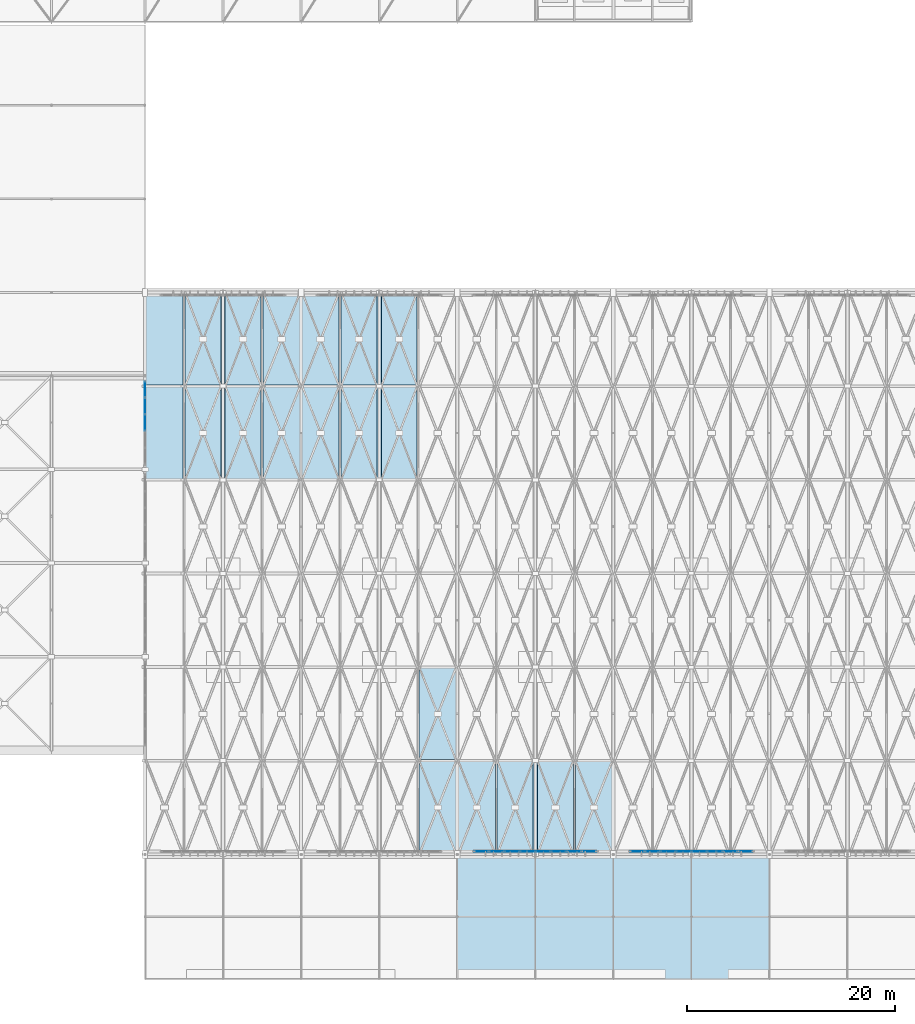
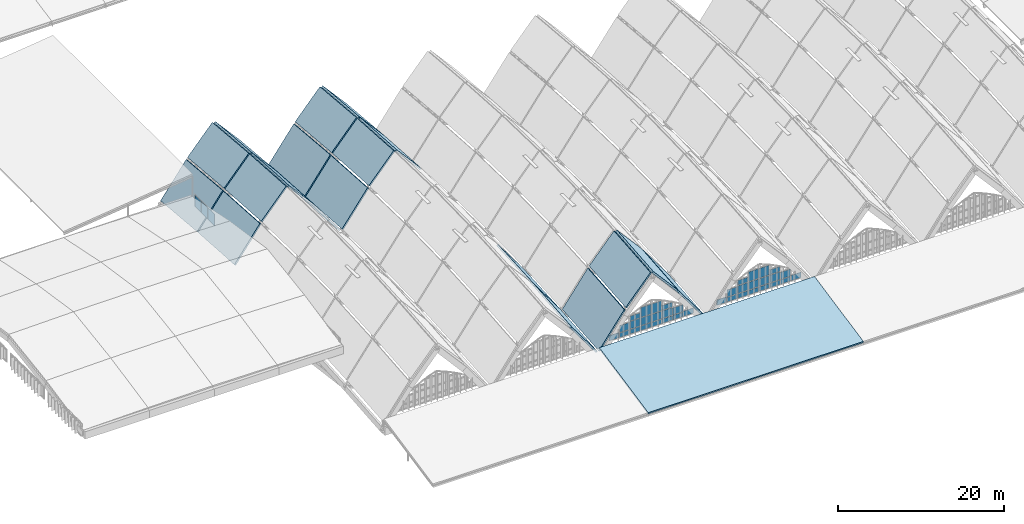
# One storey, part 58 of 93: 39 plates, 21 slabs, 4 elements without a shape of their own.
"""IFC4 building model written with IfcOpenShell, lengths in metres."""

from ifc_helpers import new_model, si_unit, direction, frame, origin, origin_2d, place, context, subcontext, project, spatial, polyline, rectangle, outline, extrude, material, layer, layer_set, type_object, element, aggregate, save


model = new_model("IFC4")

# Units and contexts
model_context = context("Model", 3, precision=1e-05, world=origin(), true_north=direction((0.0, 1.0)))
body_context = subcontext(model_context, "Body", "Model", "MODEL_VIEW")
ifc_project = project(units=[si_unit("LENGTHUNIT", "METRE"), si_unit("AREAUNIT", "SQUARE_METRE"), si_unit("VOLUMEUNIT", "CUBIC_METRE"), si_unit("PLANEANGLEUNIT", "RADIAN"), si_unit("MASSUNIT", "GRAM", prefix="KILO")], contexts=[model_context])

# Site, building, storey
site_placement = place(None, origin())
site = spatial("IfcSite", under=ifc_project, at=site_placement, CompositionType="ELEMENT")
building_placement = place(site_placement, origin())
building = spatial("IfcBuilding", under=site, at=building_placement, Name="Vourika Railside Aquatics Centre", CompositionType="ELEMENT")
storey_placement = place(building_placement, frame((0.0, 0.0, 21.89990234375)))
storey = spatial("IfcBuildingStorey", under=building, at=storey_placement, Name="Roof", CompositionType="ELEMENT", Elevation=21.89990234375)

# Curtain wall, plates
ifc_material_1 = material(Name="Anodized thermally broken aluminium", Category="aluminium")
curtain_wall_type_1 = type_object("IfcCurtainWallType", Name="CW-DIVEE", PredefinedType="NOTDEFINED", material=ifc_material_1)
curtain_wall_1_placement = place(storey_placement, origin())
curtain_wall_1 = element("IfcCurtainWall", 1, at=curtain_wall_1_placement, inside=storey, type_object=curtain_wall_type_1, Name="Diving Hall East Clerestory Curtain Wall 4", PredefinedType="NOTDEFINED")
ifc_material_2 = material(Name="Low-E solar-control laminated double glazing", Category="glass")
ifc_layer_1 = layer(ifc_material_2, 0.0400390625, Name="CWP-DIVEE")
ifc_layer_set_1 = layer_set([ifc_layer_1], Name="Low-E solar-control laminated double glazing")
plate_type_1 = type_object("IfcPlateType", Name="CWP-DIVEE", PredefinedType="CURTAIN_PANEL", material=ifc_layer_set_1)
plate_1_placement = place(storey_placement, frame((36.0, 53.5, -6.223876953125), z_axis=(0.0, 0.0, 1.0), x_axis=(0.0, 1.0, 0.0)))
plate_1 = element("IfcPlate", 2, at=plate_1_placement, type_object=plate_type_1, Name="CW06 panel 3.1", PredefinedType="CURTAIN_PANEL", context=body_context, shape_type="SweptSolid", body=[
    extrude(rectangle(XDim=1.531982421875, YDim=0.0400390625, at=origin_2d()), origin(), (0.0, 0.0, 1.0), 1.64794921875),
])
plate_2_placement = place(storey_placement, frame((36.0, 55.10791015625, -6.223876953125), z_axis=(0.0, 0.0, 1.0), x_axis=(0.0, 1.0, 0.0)))
plate_2 = element("IfcPlate", 3, at=plate_2_placement, type_object=plate_type_1, Name="CW06 panel 4.1", PredefinedType="CURTAIN_PANEL", context=body_context, shape_type="SweptSolid", body=[
    extrude(rectangle(XDim=1.531982421875, YDim=0.0400390625, at=origin_2d()), origin(), (0.0, 0.0, 1.0), 1.64794921875),
])
plate_3_placement = place(storey_placement, frame((36.0, 56.697021484375, -6.223876953125), z_axis=(0.0, 0.0, 1.0), x_axis=(0.0, 1.0, 0.0)))
plate_3 = element("IfcPlate", 4, at=plate_3_placement, type_object=plate_type_1, Name="CW06 panel 5.1", PredefinedType="CURTAIN_PANEL", context=body_context, shape_type="SweptSolid", body=[
    extrude(rectangle(XDim=1.493896484375, YDim=0.0400390625, at=origin_2d()), origin(), (0.0, 0.0, 1.0), 1.64794921875),
])
aggregate(curtain_wall_1, [plate_1, plate_2, plate_3])

curtain_wall_type_2 = type_object("IfcCurtainWallType", Name="CW-VLTS2", PredefinedType="NOTDEFINED", material=ifc_material_1)
curtain_wall_2_placement = place(storey_placement, origin())
curtain_wall_2 = element("IfcCurtainWall", 5, at=curtain_wall_2_placement, inside=storey, type_object=curtain_wall_type_2, Name="South Boulevard Pointed-Arch Clerestory Curtain Wall Bay 3", PredefinedType="NOTDEFINED")
ifc_layer_2 = layer(ifc_material_2, 0.055908203125, Name="CWP-VLTS2")
ifc_layer_set_2 = layer_set([ifc_layer_2], Name="Low-E solar-control laminated double glazing")
plate_type_2 = type_object("IfcPlateType", Name="CWP-VLTS2", PredefinedType="CURTAIN_PANEL", material=ifc_layer_set_2)
plate_4_placement = place(storey_placement, frame((68.315673828125, 12.280029296875, -9.7919921875), z_axis=(0.0, 0.0, 1.0), x_axis=(1.0, 0.0, 0.0)))
plate_4 = element("IfcPlate", 6, at=plate_4_placement, type_object=plate_type_2, Name="CW04 glazed panel 1.1", PredefinedType="CURTAIN_PANEL", context=body_context, shape_type="SweptSolid", body=[
    extrude(rectangle(XDim=1.35546875, YDim=0.055908203125, at=origin_2d()), origin(), (0.0, 0.0, 1.0), 0.76904296875),
])
plate_5_placement = place(storey_placement, frame((69.78125, 12.280029296875, -9.7919921875), z_axis=(0.0, 0.0, 1.0), x_axis=(1.0, 0.0, 0.0)))
plate_5 = element("IfcPlate", 7, at=plate_5_placement, type_object=plate_type_2, Name="CW04 glazed panel 2.1", PredefinedType="CURTAIN_PANEL", context=body_context, shape_type="SweptSolid", body=[
    extrude(rectangle(XDim=1.3994140625, YDim=0.055908203125, at=origin_2d()), origin(), (0.0, 0.0, 1.0), 0.64794921875),
])
plate_6_placement = place(storey_placement, frame((69.78125, 12.280029296875, -9.055908203125), z_axis=(0.0, 0.0, 1.0), x_axis=(1.0, 0.0, 0.0)))
plate_6 = element("IfcPlate", 8, at=plate_6_placement, type_object=plate_type_2, Name="CW04 glazed panel 2.2", PredefinedType="CURTAIN_PANEL", context=body_context, shape_type="SweptSolid", body=[
    extrude(rectangle(XDim=1.3994140625, YDim=0.055908203125, at=origin_2d()), origin(), (0.0, 0.0, 1.0), 1.02197265625),
])
plate_7_placement = place(storey_placement, frame((71.268798828125, 12.280029296875, -9.7919921875), z_axis=(0.0, 0.0, 1.0), x_axis=(1.0, 0.0, 0.0)))
plate_7 = element("IfcPlate", 9, at=plate_7_placement, type_object=plate_type_2, Name="CW04 glazed panel 3.1", PredefinedType="CURTAIN_PANEL", context=body_context, shape_type="SweptSolid", body=[
    extrude(rectangle(XDim=1.3994140625, YDim=0.055908203125, at=origin_2d()), origin(), (0.0, 0.0, 1.0), 0.64794921875),
])
plate_8_placement = place(storey_placement, frame((71.268798828125, 12.280029296875, -9.05615234375), z_axis=(0.0, 0.0, 1.0), x_axis=(1.0, 0.0, 0.0)))
plate_8 = element("IfcPlate", 10, at=plate_8_placement, type_object=plate_type_2, Name="CW04 glazed panel 3.2", PredefinedType="CURTAIN_PANEL", context=body_context, shape_type="SweptSolid", body=[
    extrude(rectangle(XDim=1.3994140625, YDim=0.055908203125, at=origin_2d()), origin(), (0.0, 0.0, 1.0), 1.112060546875),
])
plate_9_placement = place(storey_placement, frame((71.268798828125, 12.280029296875, -7.85595703125), z_axis=(0.0, 0.0, 1.0), x_axis=(1.0, 0.0, 0.0)))
plate_9 = element("IfcPlate", 11, at=plate_9_placement, type_object=plate_type_2, Name="CW04 glazed panel 3.3", PredefinedType="CURTAIN_PANEL", context=body_context, shape_type="SweptSolid", body=[
    extrude(rectangle(XDim=1.3994140625, YDim=0.055908203125, at=origin_2d()), origin(), (0.0, 0.0, 1.0), 0.700927734375),
])
plate_10_placement = place(storey_placement, frame((72.75634765625, 12.280029296875, -9.7919921875), z_axis=(0.0, 0.0, 1.0), x_axis=(1.0, 0.0, 0.0)))
plate_10 = element("IfcPlate", 12, at=plate_10_placement, type_object=plate_type_2, Name="CW04 glazed panel 4.1", PredefinedType="CURTAIN_PANEL", context=body_context, shape_type="SweptSolid", body=[
    extrude(rectangle(XDim=1.3994140625, YDim=0.055908203125, at=origin_2d()), origin(), (0.0, 0.0, 1.0), 0.64794921875),
])
plate_11_placement = place(storey_placement, frame((72.75634765625, 12.280029296875, -9.05615234375), z_axis=(0.0, 0.0, 1.0), x_axis=(1.0, 0.0, 0.0)))
plate_11 = element("IfcPlate", 13, at=plate_11_placement, type_object=plate_type_2, Name="CW04 glazed panel 4.2", PredefinedType="CURTAIN_PANEL", context=body_context, shape_type="SweptSolid", body=[
    extrude(rectangle(XDim=1.3994140625, YDim=0.055908203125, at=origin_2d()), origin(), (0.0, 0.0, 1.0), 1.112060546875),
])
plate_12_placement = place(storey_placement, frame((72.75634765625, 12.280029296875, -7.85595703125), z_axis=(0.0, 0.0, 1.0), x_axis=(1.0, 0.0, 0.0)))
plate_12 = element("IfcPlate", 14, at=plate_12_placement, type_object=plate_type_2, Name="CW04 glazed panel 4.3", PredefinedType="CURTAIN_PANEL", context=body_context, shape_type="SweptSolid", body=[
    extrude(rectangle(XDim=1.3994140625, YDim=0.055908203125, at=origin_2d()), origin(), (0.0, 0.0, 1.0), 1.43896484375),
])
plate_13_placement = place(storey_placement, frame((74.24365234375, 12.280029296875, -9.7919921875), z_axis=(0.0, 0.0, 1.0), x_axis=(1.0, 0.0, 0.0)))
plate_13 = element("IfcPlate", 15, at=plate_13_placement, type_object=plate_type_2, Name="CW04 glazed panel 5.1", PredefinedType="CURTAIN_PANEL", context=body_context, shape_type="SweptSolid", body=[
    extrude(rectangle(XDim=1.3994140625, YDim=0.055908203125, at=origin_2d()), origin(), (0.0, 0.0, 1.0), 0.64794921875),
])
plate_14_placement = place(storey_placement, frame((74.24365234375, 12.280029296875, -9.05615234375), z_axis=(0.0, 0.0, 1.0), x_axis=(1.0, 0.0, 0.0)))
plate_14 = element("IfcPlate", 16, at=plate_14_placement, type_object=plate_type_2, Name="CW04 glazed panel 5.2", PredefinedType="CURTAIN_PANEL", context=body_context, shape_type="SweptSolid", body=[
    extrude(rectangle(XDim=1.3994140625, YDim=0.055908203125, at=origin_2d()), origin(), (0.0, 0.0, 1.0), 1.112060546875),
])
plate_15_placement = place(storey_placement, frame((74.24365234375, 12.280029296875, -7.85595703125), z_axis=(0.0, 0.0, 1.0), x_axis=(1.0, 0.0, 0.0)))
plate_15 = element("IfcPlate", 17, at=plate_15_placement, type_object=plate_type_2, Name="CW04 glazed panel 5.3", PredefinedType="CURTAIN_PANEL", context=body_context, shape_type="SweptSolid", body=[
    extrude(rectangle(XDim=1.3994140625, YDim=0.055908203125, at=origin_2d()), origin(), (0.0, 0.0, 1.0), 1.43896484375),
])
plate_16_placement = place(storey_placement, frame((75.731201171875, 12.280029296875, -9.7919921875), z_axis=(0.0, 0.0, 1.0), x_axis=(1.0, 0.0, 0.0)))
plate_16 = element("IfcPlate", 18, at=plate_16_placement, type_object=plate_type_2, Name="CW04 glazed panel 6.1", PredefinedType="CURTAIN_PANEL", context=body_context, shape_type="SweptSolid", body=[
    extrude(rectangle(XDim=1.3994140625, YDim=0.055908203125, at=origin_2d()), origin(), (0.0, 0.0, 1.0), 0.64794921875),
])
plate_17_placement = place(storey_placement, frame((75.731201171875, 12.280029296875, -9.05615234375), z_axis=(0.0, 0.0, 1.0), x_axis=(1.0, 0.0, 0.0)))
plate_17 = element("IfcPlate", 19, at=plate_17_placement, type_object=plate_type_2, Name="CW04 glazed panel 6.2", PredefinedType="CURTAIN_PANEL", context=body_context, shape_type="SweptSolid", body=[
    extrude(rectangle(XDim=1.3994140625, YDim=0.055908203125, at=origin_2d()), origin(), (0.0, 0.0, 1.0), 1.112060546875),
])
plate_18_placement = place(storey_placement, frame((75.731201171875, 12.280029296875, -7.85595703125), z_axis=(0.0, 0.0, 1.0), x_axis=(1.0, 0.0, 0.0)))
plate_18 = element("IfcPlate", 20, at=plate_18_placement, type_object=plate_type_2, Name="CW04 glazed panel 6.3", PredefinedType="CURTAIN_PANEL", context=body_context, shape_type="SweptSolid", body=[
    extrude(rectangle(XDim=1.3994140625, YDim=0.055908203125, at=origin_2d()), origin(), (0.0, 0.0, 1.0), 0.700927734375),
])
plate_19_placement = place(storey_placement, frame((77.21875, 12.280029296875, -9.7919921875), z_axis=(0.0, 0.0, 1.0), x_axis=(1.0, 0.0, 0.0)))
plate_19 = element("IfcPlate", 21, at=plate_19_placement, type_object=plate_type_2, Name="CW04 glazed panel 7.1", PredefinedType="CURTAIN_PANEL", context=body_context, shape_type="SweptSolid", body=[
    extrude(rectangle(XDim=1.3994140625, YDim=0.055908203125, at=origin_2d()), origin(), (0.0, 0.0, 1.0), 0.64794921875),
])
plate_20_placement = place(storey_placement, frame((77.21875, 12.280029296875, -9.055908203125), z_axis=(0.0, 0.0, 1.0), x_axis=(1.0, 0.0, 0.0)))
plate_20 = element("IfcPlate", 22, at=plate_20_placement, type_object=plate_type_2, Name="CW04 glazed panel 7.2", PredefinedType="CURTAIN_PANEL", context=body_context, shape_type="SweptSolid", body=[
    extrude(rectangle(XDim=1.3994140625, YDim=0.055908203125, at=origin_2d()), origin(), (0.0, 0.0, 1.0), 1.02197265625),
])
plate_21_placement = place(storey_placement, frame((78.684326171875, 12.280029296875, -9.7919921875), z_axis=(0.0, 0.0, 1.0), x_axis=(1.0, 0.0, 0.0)))
plate_21 = element("IfcPlate", 23, at=plate_21_placement, type_object=plate_type_2, Name="CW04 glazed panel 8.1", PredefinedType="CURTAIN_PANEL", context=body_context, shape_type="SweptSolid", body=[
    extrude(rectangle(XDim=1.35546875, YDim=0.055908203125, at=origin_2d()), origin(), (0.0, 0.0, 1.0), 0.76904296875),
])
aggregate(curtain_wall_2, [plate_4, plate_5, plate_6, plate_7, plate_8, plate_9, plate_10, plate_11, plate_12, plate_13, plate_14, plate_15, plate_16, plate_17, plate_18, plate_19, plate_20, plate_21])

curtain_wall_3_placement = place(storey_placement, origin())
curtain_wall_3 = element("IfcCurtainWall", 24, at=curtain_wall_3_placement, inside=storey, type_object=curtain_wall_type_2, Name="South Boulevard Pointed-Arch Clerestory Curtain Wall Bay 4", PredefinedType="NOTDEFINED")
plate_22_placement = place(storey_placement, frame((83.315673828125, 12.280029296875, -9.7919921875), z_axis=(0.0, 0.0, 1.0), x_axis=(1.0, 0.0, 0.0)))
plate_22 = element("IfcPlate", 25, at=plate_22_placement, type_object=plate_type_2, Name="CW04 glazed panel 1.1", PredefinedType="CURTAIN_PANEL", context=body_context, shape_type="SweptSolid", body=[
    extrude(rectangle(XDim=1.35546875, YDim=0.055908203125, at=origin_2d()), origin(), (0.0, 0.0, 1.0), 0.76904296875),
])
plate_23_placement = place(storey_placement, frame((84.78125, 12.280029296875, -9.7919921875), z_axis=(0.0, 0.0, 1.0), x_axis=(1.0, 0.0, 0.0)))
plate_23 = element("IfcPlate", 26, at=plate_23_placement, type_object=plate_type_2, Name="CW04 glazed panel 2.1", PredefinedType="CURTAIN_PANEL", context=body_context, shape_type="SweptSolid", body=[
    extrude(rectangle(XDim=1.3994140625, YDim=0.055908203125, at=origin_2d()), origin(), (0.0, 0.0, 1.0), 0.64794921875),
])
plate_24_placement = place(storey_placement, frame((84.78125, 12.280029296875, -9.055908203125), z_axis=(0.0, 0.0, 1.0), x_axis=(1.0, 0.0, 0.0)))
plate_24 = element("IfcPlate", 27, at=plate_24_placement, type_object=plate_type_2, Name="CW04 glazed panel 2.2", PredefinedType="CURTAIN_PANEL", context=body_context, shape_type="SweptSolid", body=[
    extrude(rectangle(XDim=1.3994140625, YDim=0.055908203125, at=origin_2d()), origin(), (0.0, 0.0, 1.0), 1.02197265625),
])
plate_25_placement = place(storey_placement, frame((86.268798828125, 12.280029296875, -9.7919921875), z_axis=(0.0, 0.0, 1.0), x_axis=(1.0, 0.0, 0.0)))
plate_25 = element("IfcPlate", 28, at=plate_25_placement, type_object=plate_type_2, Name="CW04 glazed panel 3.1", PredefinedType="CURTAIN_PANEL", context=body_context, shape_type="SweptSolid", body=[
    extrude(rectangle(XDim=1.3994140625, YDim=0.055908203125, at=origin_2d()), origin(), (0.0, 0.0, 1.0), 0.64794921875),
])
plate_26_placement = place(storey_placement, frame((86.268798828125, 12.280029296875, -9.05615234375), z_axis=(0.0, 0.0, 1.0), x_axis=(1.0, 0.0, 0.0)))
plate_26 = element("IfcPlate", 29, at=plate_26_placement, type_object=plate_type_2, Name="CW04 glazed panel 3.2", PredefinedType="CURTAIN_PANEL", context=body_context, shape_type="SweptSolid", body=[
    extrude(rectangle(XDim=1.3994140625, YDim=0.055908203125, at=origin_2d()), origin(), (0.0, 0.0, 1.0), 1.112060546875),
])
plate_27_placement = place(storey_placement, frame((86.268798828125, 12.280029296875, -7.85595703125), z_axis=(0.0, 0.0, 1.0), x_axis=(1.0, 0.0, 0.0)))
plate_27 = element("IfcPlate", 30, at=plate_27_placement, type_object=plate_type_2, Name="CW04 glazed panel 3.3", PredefinedType="CURTAIN_PANEL", context=body_context, shape_type="SweptSolid", body=[
    extrude(rectangle(XDim=1.3994140625, YDim=0.055908203125, at=origin_2d()), origin(), (0.0, 0.0, 1.0), 0.700927734375),
])
plate_28_placement = place(storey_placement, frame((87.75634765625, 12.280029296875, -9.7919921875), z_axis=(0.0, 0.0, 1.0), x_axis=(1.0, 0.0, 0.0)))
plate_28 = element("IfcPlate", 31, at=plate_28_placement, type_object=plate_type_2, Name="CW04 glazed panel 4.1", PredefinedType="CURTAIN_PANEL", context=body_context, shape_type="SweptSolid", body=[
    extrude(rectangle(XDim=1.3994140625, YDim=0.055908203125, at=origin_2d()), origin(), (0.0, 0.0, 1.0), 0.64794921875),
])
plate_29_placement = place(storey_placement, frame((87.75634765625, 12.280029296875, -9.05615234375), z_axis=(0.0, 0.0, 1.0), x_axis=(1.0, 0.0, 0.0)))
plate_29 = element("IfcPlate", 32, at=plate_29_placement, type_object=plate_type_2, Name="CW04 glazed panel 4.2", PredefinedType="CURTAIN_PANEL", context=body_context, shape_type="SweptSolid", body=[
    extrude(rectangle(XDim=1.3994140625, YDim=0.055908203125, at=origin_2d()), origin(), (0.0, 0.0, 1.0), 1.112060546875),
])
plate_30_placement = place(storey_placement, frame((87.75634765625, 12.280029296875, -7.85595703125), z_axis=(0.0, 0.0, 1.0), x_axis=(1.0, 0.0, 0.0)))
plate_30 = element("IfcPlate", 33, at=plate_30_placement, type_object=plate_type_2, Name="CW04 glazed panel 4.3", PredefinedType="CURTAIN_PANEL", context=body_context, shape_type="SweptSolid", body=[
    extrude(rectangle(XDim=1.3994140625, YDim=0.055908203125, at=origin_2d()), origin(), (0.0, 0.0, 1.0), 1.43896484375),
])
plate_31_placement = place(storey_placement, frame((89.24365234375, 12.280029296875, -9.7919921875), z_axis=(0.0, 0.0, 1.0), x_axis=(1.0, 0.0, 0.0)))
plate_31 = element("IfcPlate", 34, at=plate_31_placement, type_object=plate_type_2, Name="CW04 glazed panel 5.1", PredefinedType="CURTAIN_PANEL", context=body_context, shape_type="SweptSolid", body=[
    extrude(rectangle(XDim=1.3994140625, YDim=0.055908203125, at=origin_2d()), origin(), (0.0, 0.0, 1.0), 0.64794921875),
])
plate_32_placement = place(storey_placement, frame((89.24365234375, 12.280029296875, -9.05615234375), z_axis=(0.0, 0.0, 1.0), x_axis=(1.0, 0.0, 0.0)))
plate_32 = element("IfcPlate", 35, at=plate_32_placement, type_object=plate_type_2, Name="CW04 glazed panel 5.2", PredefinedType="CURTAIN_PANEL", context=body_context, shape_type="SweptSolid", body=[
    extrude(rectangle(XDim=1.3994140625, YDim=0.055908203125, at=origin_2d()), origin(), (0.0, 0.0, 1.0), 1.112060546875),
])
plate_33_placement = place(storey_placement, frame((89.24365234375, 12.280029296875, -7.85595703125), z_axis=(0.0, 0.0, 1.0), x_axis=(1.0, 0.0, 0.0)))
plate_33 = element("IfcPlate", 36, at=plate_33_placement, type_object=plate_type_2, Name="CW04 glazed panel 5.3", PredefinedType="CURTAIN_PANEL", context=body_context, shape_type="SweptSolid", body=[
    extrude(rectangle(XDim=1.3994140625, YDim=0.055908203125, at=origin_2d()), origin(), (0.0, 0.0, 1.0), 1.43896484375),
])
plate_34_placement = place(storey_placement, frame((90.731201171875, 12.280029296875, -9.7919921875), z_axis=(0.0, 0.0, 1.0), x_axis=(1.0, 0.0, 0.0)))
plate_34 = element("IfcPlate", 37, at=plate_34_placement, type_object=plate_type_2, Name="CW04 glazed panel 6.1", PredefinedType="CURTAIN_PANEL", context=body_context, shape_type="SweptSolid", body=[
    extrude(rectangle(XDim=1.3994140625, YDim=0.055908203125, at=origin_2d()), origin(), (0.0, 0.0, 1.0), 0.64794921875),
])
plate_35_placement = place(storey_placement, frame((90.731201171875, 12.280029296875, -9.05615234375), z_axis=(0.0, 0.0, 1.0), x_axis=(1.0, 0.0, 0.0)))
plate_35 = element("IfcPlate", 38, at=plate_35_placement, type_object=plate_type_2, Name="CW04 glazed panel 6.2", PredefinedType="CURTAIN_PANEL", context=body_context, shape_type="SweptSolid", body=[
    extrude(rectangle(XDim=1.3994140625, YDim=0.055908203125, at=origin_2d()), origin(), (0.0, 0.0, 1.0), 1.112060546875),
])
plate_36_placement = place(storey_placement, frame((90.731201171875, 12.280029296875, -7.85595703125), z_axis=(0.0, 0.0, 1.0), x_axis=(1.0, 0.0, 0.0)))
plate_36 = element("IfcPlate", 39, at=plate_36_placement, type_object=plate_type_2, Name="CW04 glazed panel 6.3", PredefinedType="CURTAIN_PANEL", context=body_context, shape_type="SweptSolid", body=[
    extrude(rectangle(XDim=1.3994140625, YDim=0.055908203125, at=origin_2d()), origin(), (0.0, 0.0, 1.0), 0.700927734375),
])
plate_37_placement = place(storey_placement, frame((92.21875, 12.280029296875, -9.7919921875), z_axis=(0.0, 0.0, 1.0), x_axis=(1.0, 0.0, 0.0)))
plate_37 = element("IfcPlate", 40, at=plate_37_placement, type_object=plate_type_2, Name="CW04 glazed panel 7.1", PredefinedType="CURTAIN_PANEL", context=body_context, shape_type="SweptSolid", body=[
    extrude(rectangle(XDim=1.3994140625, YDim=0.055908203125, at=origin_2d()), origin(), (0.0, 0.0, 1.0), 0.64794921875),
])
plate_38_placement = place(storey_placement, frame((92.21875, 12.280029296875, -9.055908203125), z_axis=(0.0, 0.0, 1.0), x_axis=(1.0, 0.0, 0.0)))
plate_38 = element("IfcPlate", 41, at=plate_38_placement, type_object=plate_type_2, Name="CW04 glazed panel 7.2", PredefinedType="CURTAIN_PANEL", context=body_context, shape_type="SweptSolid", body=[
    extrude(rectangle(XDim=1.3994140625, YDim=0.055908203125, at=origin_2d()), origin(), (0.0, 0.0, 1.0), 1.02197265625),
])
plate_39_placement = place(storey_placement, frame((93.684326171875, 12.280029296875, -9.7919921875), z_axis=(0.0, 0.0, 1.0), x_axis=(1.0, 0.0, 0.0)))
plate_39 = element("IfcPlate", 42, at=plate_39_placement, type_object=plate_type_2, Name="CW04 glazed panel 8.1", PredefinedType="CURTAIN_PANEL", context=body_context, shape_type="SweptSolid", body=[
    extrude(rectangle(XDim=1.35546875, YDim=0.055908203125, at=origin_2d()), origin(), (0.0, 0.0, 1.0), 0.76904296875),
])
aggregate(curtain_wall_3, [plate_22, plate_23, plate_24, plate_25, plate_26, plate_27, plate_28, plate_29, plate_30, plate_31, plate_32, plate_33, plate_34, plate_35, plate_36, plate_37, plate_38, plate_39])

# Slab
ifc_material_3 = material(Name="Concrete C35/45", Category="concrete")
ifc_layer_3 = layer(ifc_material_3, 0.22998046875, Name="SLB-ROOF-EAV230")
ifc_layer_set_3 = layer_set([ifc_layer_3], Name="Concrete C35/45")
slab_type_1 = type_object("IfcSlabType", Name="SLB-ROOF-EAV230", PredefinedType="ROOF", material=ifc_layer_set_3)
slab_1_placement = place(storey_placement, frame((66.0, 0.0, -12.349853515625), z_axis=(0.0, -0.201693516956, 0.979448684321), x_axis=(1.0, 0.0, 0.0)))
element("IfcSlab", 43, at=slab_1_placement, inside=storey, type_object=slab_type_1, Name="Changing Village Sloped Monsoon Eave Roof S2", PredefinedType="ROOF", context=body_context, shape_type="SweptSolid", body=[
    extrude(outline(polyline([(0.0, 0.0), (30.0, 0.0), (30.0, 12.047643758189595), (0.0, 12.047643758189595), (0.0, 0.0)])), origin(), (0.0, 0.0, -1.0), 0.22998046875),
])

# Roof, slabs
ifc_material_4 = material(Name="Glulam GL32h", Category="wood")
ifc_layer_4 = layer(ifc_material_4, 0.239990234375, Name="ROOF-VAULT-SYS")
ifc_layer_set_4 = layer_set([ifc_layer_4], Name="Glulam GL32h")
roof_type = type_object("IfcRoofType", Name="ROOF-VAULT-SYS", PredefinedType="BARREL_ROOF", material=ifc_layer_set_4)
roof_placement = place(storey_placement, origin())
roof = element("IfcRoof", 44, at=roof_placement, inside=storey, type_object=roof_type, Name="Pointed Glulam Gridshell Vault Roof Assembly", PredefinedType="BARREL_ROOF")
ifc_material_5 = material(Name="Glulam GL28h", Category="wood")
ifc_layer_5 = layer(ifc_material_5, 0.239990234375, Name="SLB-ROOF-VLT240")
ifc_layer_set_5 = layer_set([ifc_layer_5], Name="Glulam GL28h")
slab_type_2 = type_object("IfcSlabType", Name="SLB-ROOF-VLT240", PredefinedType="ROOF", material=ifc_layer_set_5)
slab_2_placement = place(storey_placement, frame((36.094970703125, 48.094970703125, -9.239501953125), z_axis=(-0.805045258731, 0.038533374909, 0.591960564914), x_axis=(0.592400532663, 0.0, 0.80564359918)))
slab_2 = element("IfcSlab", 45, at=slab_2_placement, type_object=slab_type_2, Name="Bay 1 Pointed Timber Roof Deck Panel 017", PredefinedType="ROOF", context=body_context, shape_type="SweptSolid", body=[
    extrude(outline(polyline([(0.0, 0.0), (6.009546577793309, 0.0), (5.5475209883219945, 8.816606566504385), (-0.46202558947131417, 8.816606566504385), (0.0, 0.0)])), origin(), (0.0, 0.0, -1.0), 0.239990234375),
])
slab_3_placement = place(storey_placement, frame((39.844970703125, 48.094970703125, -4.159912109375), z_axis=(-0.752980078638, 0.042744533256, 0.656653566236), x_axis=(0.657254273789, 0.0, 0.753668905811)))
slab_3 = element("IfcSlab", 46, at=slab_3_placement, type_object=slab_type_2, Name="Bay 1 Pointed Timber Roof Deck Panel 018", PredefinedType="ROOF", context=body_context, shape_type="SweptSolid", body=[
    extrude(outline(polyline([(0.0, 0.0), (5.2568363003320515, 2.7755575615628914e-17), (4.824617486916384, 8.81811804702024), (-0.43221881341566754, 8.81811804702024), (0.0, 0.0)])), origin(), (0.0, 0.0, -1.0), 0.239990234375),
])
slab_4_placement = place(storey_placement, frame((43.699951171875, 48.094970703125, -0.197998046875), z_axis=(0.752980078638, 0.042744533256, 0.656653566236), x_axis=(0.657254273789, 0.0, -0.753668905811)))
slab_4 = element("IfcSlab", 47, at=slab_4_placement, type_object=slab_type_2, Name="Bay 1 Pointed Timber Roof Deck Panel 019", PredefinedType="ROOF", context=body_context, shape_type="SweptSolid", body=[
    extrude(outline(polyline([(0.0, 0.0), (5.2568363003320515, -2.7755575615628914e-17), (5.6890551137477186, 8.81811804702024), (0.43221881341566754, 8.81811804702024), (0.0, 0.0)])), origin(), (0.0, 0.0, -1.0), 0.239990234375),
])
slab_5_placement = place(storey_placement, frame((47.344970703125, 48.094970703125, -4.39794921875), z_axis=(0.805045258731, 0.038533374909, 0.591960564914), x_axis=(0.592400532663, 0.0, -0.80564359918)))
slab_5 = element("IfcSlab", 48, at=slab_5_placement, type_object=slab_type_2, Name="Bay 1 Pointed Timber Roof Deck Panel 020", PredefinedType="ROOF", context=body_context, shape_type="SweptSolid", body=[
    extrude(outline(polyline([(0.0, 0.0), (6.009546577793309, 0.0), (6.471572167264624, 8.816606566504385), (0.46202558947131417, 8.816606566504385), (0.0, 0.0)])), origin(), (0.0, 0.0, -1.0), 0.239990234375),
])
slab_6_placement = place(storey_placement, frame((36.094970703125, 57.094970703125, -9.828369140625), z_axis=(-0.80452801332, 0.05260713157, 0.591580227434), x_axis=(0.592400532663, 0.0, 0.80564359918)))
slab_6 = element("IfcSlab", 49, at=slab_6_placement, type_object=slab_type_2, Name="Bay 1 Pointed Timber Roof Deck Panel 021", PredefinedType="ROOF", context=body_context, shape_type="SweptSolid", body=[
    extrude(outline(polyline([(0.0, 0.0), (6.009546577793309, 0.0), (5.378367302947226, 8.822274920128496), (-0.6311792748460823, 8.822274920128496), (0.0, 0.0)])), origin(), (0.0, 0.0, -1.0), 0.239990234375),
])
slab_7_placement = place(storey_placement, frame((39.844970703125, 57.094970703125, -4.74853515625), z_axis=(-0.752364776824, 0.058349751553, 0.656157411821), x_axis=(0.657277279678, 0.0, 0.753648842379)))
slab_7 = element("IfcSlab", 50, at=slab_7_placement, type_object=slab_type_2, Name="Bay 1 Pointed Timber Roof Deck Panel 022", PredefinedType="ROOF", context=body_context, shape_type="SweptSolid", body=[
    extrude(outline(polyline([(0.0, 0.0), (5.2566523015834505, 0.0), (4.666208176780515, 8.825094774494449), (-0.5904441248029355, 8.825094774494449), (0.0, 0.0)])), origin(), (0.0, 0.0, -1.0), 0.239990234375),
])
slab_8_placement = place(storey_placement, frame((43.699951171875, 57.094970703125, -0.786865234375), z_axis=(0.752364776824, 0.058349751553, 0.656157411821), x_axis=(0.657277279678, 0.0, -0.753648842379)))
slab_8 = element("IfcSlab", 51, at=slab_8_placement, type_object=slab_type_2, Name="Bay 1 Pointed Timber Roof Deck Panel 023", PredefinedType="ROOF", context=body_context, shape_type="SweptSolid", body=[
    extrude(outline(polyline([(0.0, 0.0), (5.2566523015834505, 0.0), (5.847096426386386, 8.825094774494447), (0.5904441248029355, 8.825094774494449), (0.0, 0.0)])), origin(), (0.0, 0.0, -1.0), 0.239990234375),
])
slab_9_placement = place(storey_placement, frame((47.344970703125, 57.094970703125, -4.98681640625), z_axis=(0.80452801332, 0.05260713157, 0.591580227434), x_axis=(0.592400532663, 0.0, -0.80564359918)))
slab_9 = element("IfcSlab", 52, at=slab_9_placement, type_object=slab_type_2, Name="Bay 1 Pointed Timber Roof Deck Panel 024", PredefinedType="ROOF", context=body_context, shape_type="SweptSolid", body=[
    extrude(outline(polyline([(0.0, 0.0), (6.009546577793309, 0.0), (6.640725852639392, 8.822274920128496), (0.6311792748460823, 8.822274920128496), (0.0, 0.0)])), origin(), (0.0, 0.0, -1.0), 0.239990234375),
])
slab_10_placement = place(storey_placement, frame((62.344970703125, 12.094970703125, -5.770263671875), z_axis=(0.80452801332, -0.05260713157, 0.591580227434), x_axis=(0.592400532663, 0.0, -0.80564359918)))
slab_10 = element("IfcSlab", 53, at=slab_10_placement, type_object=slab_type_2, Name="Bay 2 Pointed Timber Roof Deck Panel 028", PredefinedType="ROOF", context=body_context, shape_type="SweptSolid", body=[
    extrude(outline(polyline([(0.0, 0.0), (6.009546577793309, 0.0), (5.378367302947226, 8.822274920128496), (-0.6311792748460823, 8.822274920128496), (0.0, 0.0)])), origin(), (0.0, 0.0, -1.0), 0.239990234375),
])
slab_11_placement = place(storey_placement, frame((62.344970703125, 21.094970703125, -4.971435546875), z_axis=(0.805045258731, -0.038533374909, 0.591960564914), x_axis=(0.592400532663, 0.0, -0.80564359918)))
slab_11 = element("IfcSlab", 54, at=slab_11_placement, type_object=slab_type_2, Name="Bay 2 Pointed Timber Roof Deck Panel 032", PredefinedType="ROOF", context=body_context, shape_type="SweptSolid", body=[
    extrude(outline(polyline([(0.0, 0.0), (6.009546577793309, 0.0), (5.5475209883219945, 8.816606566504385), (-0.46202558947131417, 8.816606566504385), (0.0, 0.0)])), origin(), (0.0, 0.0, -1.0), 0.239990234375),
])
slab_12_placement = place(storey_placement, frame((51.094970703125, 48.094970703125, -9.239501953125), z_axis=(-0.805045258731, 0.038533374909, 0.591960564914), x_axis=(0.592400532663, 0.0, 0.80564359918)))
slab_12 = element("IfcSlab", 55, at=slab_12_placement, type_object=slab_type_2, Name="Bay 2 Pointed Timber Roof Deck Panel 041", PredefinedType="ROOF", context=body_context, shape_type="SweptSolid", body=[
    extrude(outline(polyline([(0.0, 0.0), (6.009546577793309, 0.0), (5.5475209883219945, 8.816606566504385), (-0.46202558947131417, 8.816606566504385), (0.0, 0.0)])), origin(), (0.0, 0.0, -1.0), 0.239990234375),
])
slab_13_placement = place(storey_placement, frame((54.844970703125, 48.094970703125, -4.159912109375), z_axis=(-0.752980078638, 0.042744533256, 0.656653566236), x_axis=(0.657254273789, 0.0, 0.753668905811)))
slab_13 = element("IfcSlab", 56, at=slab_13_placement, type_object=slab_type_2, Name="Bay 2 Pointed Timber Roof Deck Panel 042", PredefinedType="ROOF", context=body_context, shape_type="SweptSolid", body=[
    extrude(outline(polyline([(0.0, 0.0), (5.2568363003320515, 2.7755575615628914e-17), (4.824617486916384, 8.81811804702024), (-0.43221881341566754, 8.81811804702024), (0.0, 0.0)])), origin(), (0.0, 0.0, -1.0), 0.239990234375),
])
slab_14_placement = place(storey_placement, frame((58.699951171875, 48.094970703125, -0.197998046875), z_axis=(0.752980078638, 0.042744533256, 0.656653566236), x_axis=(0.657254273789, 0.0, -0.753668905811)))
slab_14 = element("IfcSlab", 57, at=slab_14_placement, type_object=slab_type_2, Name="Bay 2 Pointed Timber Roof Deck Panel 043", PredefinedType="ROOF", context=body_context, shape_type="SweptSolid", body=[
    extrude(outline(polyline([(0.0, 0.0), (5.2568363003320515, -2.7755575615628914e-17), (5.6890551137477186, 8.81811804702024), (0.43221881341566754, 8.81811804702024), (0.0, 0.0)])), origin(), (0.0, 0.0, -1.0), 0.239990234375),
])
slab_15_placement = place(storey_placement, frame((51.094970703125, 57.094970703125, -9.828369140625), z_axis=(-0.80452801332, 0.05260713157, 0.591580227434), x_axis=(0.592400532663, 0.0, 0.80564359918)))
slab_15 = element("IfcSlab", 58, at=slab_15_placement, type_object=slab_type_2, Name="Bay 2 Pointed Timber Roof Deck Panel 045", PredefinedType="ROOF", context=body_context, shape_type="SweptSolid", body=[
    extrude(outline(polyline([(0.0, 0.0), (6.009546577793309, 0.0), (5.378367302947226, 8.822274920128496), (-0.6311792748460823, 8.822274920128496), (0.0, 0.0)])), origin(), (0.0, 0.0, -1.0), 0.239990234375),
])
slab_16_placement = place(storey_placement, frame((54.844970703125, 57.094970703125, -4.74853515625), z_axis=(-0.752364776824, 0.058349751553, 0.656157411821), x_axis=(0.657277279678, 0.0, 0.753648842379)))
slab_16 = element("IfcSlab", 59, at=slab_16_placement, type_object=slab_type_2, Name="Bay 2 Pointed Timber Roof Deck Panel 046", PredefinedType="ROOF", context=body_context, shape_type="SweptSolid", body=[
    extrude(outline(polyline([(0.0, 0.0), (5.2566523015834505, 0.0), (4.666208176780515, 8.825094774494449), (-0.5904441248029355, 8.825094774494449), (0.0, 0.0)])), origin(), (0.0, 0.0, -1.0), 0.239990234375),
])
slab_17_placement = place(storey_placement, frame((58.699951171875, 57.094970703125, -0.786865234375), z_axis=(0.752364776824, 0.058349751553, 0.656157411821), x_axis=(0.657277279678, 0.0, -0.753648842379)))
slab_17 = element("IfcSlab", 60, at=slab_17_placement, type_object=slab_type_2, Name="Bay 2 Pointed Timber Roof Deck Panel 047", PredefinedType="ROOF", context=body_context, shape_type="SweptSolid", body=[
    extrude(outline(polyline([(0.0, 0.0), (5.2566523015834505, 0.0), (5.847096426386386, 8.825094774494447), (0.5904441248029355, 8.825094774494449), (0.0, 0.0)])), origin(), (0.0, 0.0, -1.0), 0.239990234375),
])
slab_18_placement = place(storey_placement, frame((66.094970703125, 12.094970703125, -10.61181640625), z_axis=(-0.80452801332, -0.05260713157, 0.591580227434), x_axis=(0.592400532663, 0.0, 0.80564359918)))
slab_18 = element("IfcSlab", 61, at=slab_18_placement, type_object=slab_type_2, Name="Bay 3 Pointed Timber Roof Deck Panel 049", PredefinedType="ROOF", context=body_context, shape_type="SweptSolid", body=[
    extrude(outline(polyline([(0.0, 0.0), (6.009546577793309, 0.0), (6.640725852639392, 8.822274920128496), (0.6311792748460823, 8.822274920128496), (0.0, 0.0)])), origin(), (0.0, 0.0, -1.0), 0.239990234375),
])
slab_19_placement = place(storey_placement, frame((69.844970703125, 12.094970703125, -5.531982421875), z_axis=(-0.752364776824, -0.058349751553, 0.656157411821), x_axis=(0.657277279678, 0.0, 0.753648842379)))
slab_19 = element("IfcSlab", 62, at=slab_19_placement, type_object=slab_type_2, Name="Bay 3 Pointed Timber Roof Deck Panel 050", PredefinedType="ROOF", context=body_context, shape_type="SweptSolid", body=[
    extrude(outline(polyline([(0.0, 0.0), (5.2566523015834505, 0.0), (5.847096426386386, 8.825094774494447), (0.5904441248029355, 8.825094774494449), (0.0, 0.0)])), origin(), (0.0, 0.0, -1.0), 0.239990234375),
])
slab_20_placement = place(storey_placement, frame((73.699951171875, 12.094970703125, -1.5703125), z_axis=(0.752364776824, -0.058349751553, 0.656157411821), x_axis=(0.657277279678, 0.0, -0.753648842379)))
slab_20 = element("IfcSlab", 63, at=slab_20_placement, type_object=slab_type_2, Name="Bay 3 Pointed Timber Roof Deck Panel 051", PredefinedType="ROOF", context=body_context, shape_type="SweptSolid", body=[
    extrude(outline(polyline([(0.0, 0.0), (5.2566523015834505, 0.0), (4.666208176780515, 8.825094774494449), (-0.5904441248029355, 8.825094774494449), (0.0, 0.0)])), origin(), (0.0, 0.0, -1.0), 0.239990234375),
])
slab_21_placement = place(storey_placement, frame((77.344970703125, 12.094970703125, -5.770263671875), z_axis=(0.80452801332, -0.05260713157, 0.591580227434), x_axis=(0.592400532663, 0.0, -0.80564359918)))
slab_21 = element("IfcSlab", 64, at=slab_21_placement, type_object=slab_type_2, Name="Bay 3 Pointed Timber Roof Deck Panel 052", PredefinedType="ROOF", context=body_context, shape_type="SweptSolid", body=[
    extrude(outline(polyline([(0.0, 0.0), (6.009546577793309, 0.0), (5.378367302947226, 8.822274920128496), (-0.6311792748460823, 8.822274920128496), (0.0, 0.0)])), origin(), (0.0, 0.0, -1.0), 0.239990234375),
])
aggregate(roof, [slab_2, slab_3, slab_4, slab_5, slab_6, slab_7, slab_8, slab_9, slab_10, slab_11, slab_12, slab_13, slab_14, slab_15, slab_16, slab_17, slab_18, slab_19, slab_20, slab_21])

save(model, "model.ifc")
